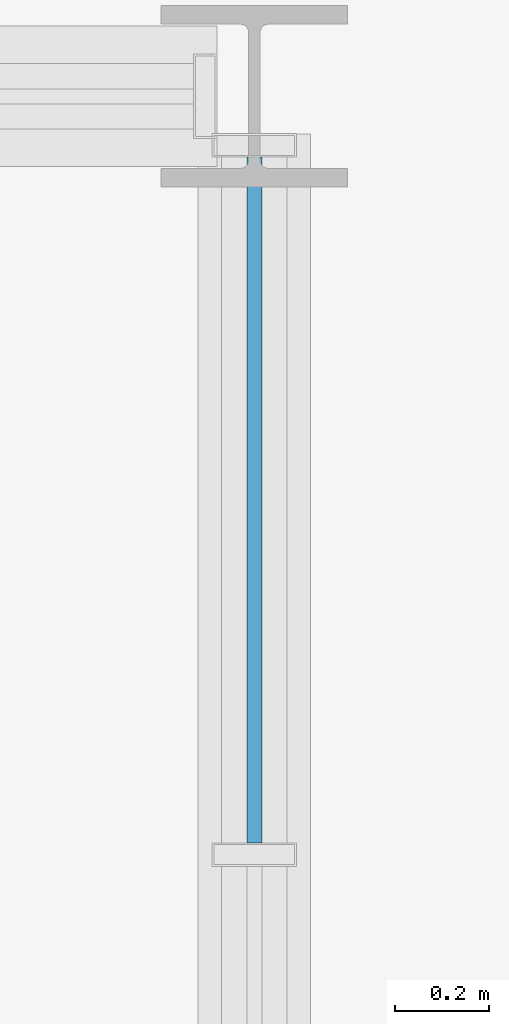
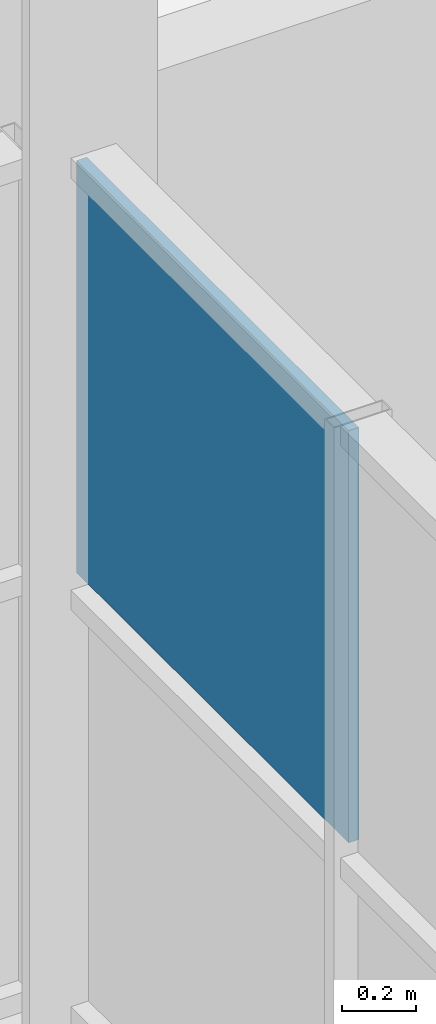
# One storey, part 91 of 136: 1 plate, 1 element without a shape of its own.
"""IFC4 building model written with IfcOpenShell, lengths in metres."""

from ifc_helpers import new_model, si_unit, direction, frame, origin, origin_2d, place, context, subcontext, project, spatial, rectangle, extrude, material, layer, layer_set, type_object, element, aggregate, save


model = new_model("IFC4")

# Units and contexts
model_context = context("Model", 3, precision=1e-05, world=origin(), true_north=direction((0.0, 1.0)))
body_context = subcontext(model_context, "Body", "Model", "MODEL_VIEW")
ifc_project = project(units=[si_unit("LENGTHUNIT", "METRE"), si_unit("AREAUNIT", "SQUARE_METRE"), si_unit("VOLUMEUNIT", "CUBIC_METRE"), si_unit("PLANEANGLEUNIT", "RADIAN"), si_unit("MASSUNIT", "GRAM", prefix="KILO")], contexts=[model_context])

# Site, building, storey
site_placement = place(None, origin())
site = spatial("IfcSite", under=ifc_project, at=site_placement, CompositionType="ELEMENT")
building_placement = place(site_placement, origin())
building = spatial("IfcBuilding", under=site, at=building_placement, Name="Solvenia Promenade Tram Depot", CompositionType="ELEMENT")
storey_placement = place(building_placement, origin())
storey = spatial("IfcBuildingStorey", under=building, at=storey_placement, Name="L00", CompositionType="ELEMENT", Elevation=0.0)

# Curtain wall, plate
ifc_material_1 = material(Name="Anodized aluminium AW-6063 T6", Category="aluminium")
ifc_layer_1 = layer(ifc_material_1, 0.14990234375, Name="Anodized aluminium AW-6063 T6", Category="aluminium")
ifc_layer_set_1 = layer_set([ifc_layer_1], Name="Anodized aluminium AW-6063 T6")
curtain_wall_type = type_object("IfcCurtainWallType", Name="CW-Court-1500", PredefinedType="NOTDEFINED", material=ifc_layer_set_1)
curtain_wall_placement = place(storey_placement, origin())
curtain_wall = element("IfcCurtainWall", 1, at=curtain_wall_placement, inside=storey, type_object=curtain_wall_type, Name="Curtain Wall CW-V2W-L0-2", PredefinedType="NOTDEFINED")
ifc_material_2 = material(Name="Double low-e argon insulated glass", Category="glass")
ifc_layer_2 = layer(ifc_material_2, 0.031982421875, Name="Double low-e argon insulated glass", Category="glass")
ifc_layer_set_2 = layer_set([ifc_layer_2], Name="Double low-e argon insulated glass")
plate_type = type_object("IfcPlateType", Name="CWP-Panel-2", PredefinedType="CURTAIN_PANEL", material=ifc_layer_set_2)
plate_placement = place(storey_placement, frame((105.0, 65.138671875, 2.482421875), z_axis=(0.0, 0.0, 1.0), x_axis=(0.0, 1.0, 0.0)))
plate = element("IfcPlate", 2, at=plate_placement, type_object=plate_type, Name="CW-5 panel 9.2", PredefinedType="CURTAIN_PANEL", context=body_context, shape_type="SweptSolid", body=[
    extrude(rectangle(XDim=1.462890625, YDim=0.031982421875, at=origin_2d()), origin(), (0.0, 0.0, 1.0), 1.3525390625),
])
aggregate(curtain_wall, [plate])

save(model, "model.ifc")
